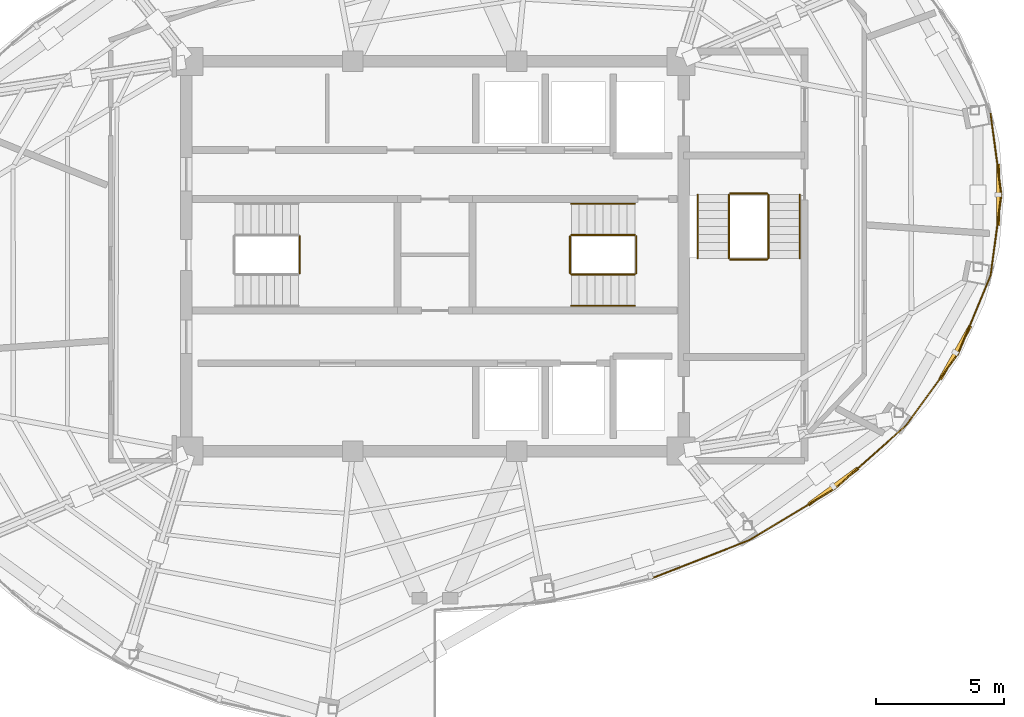
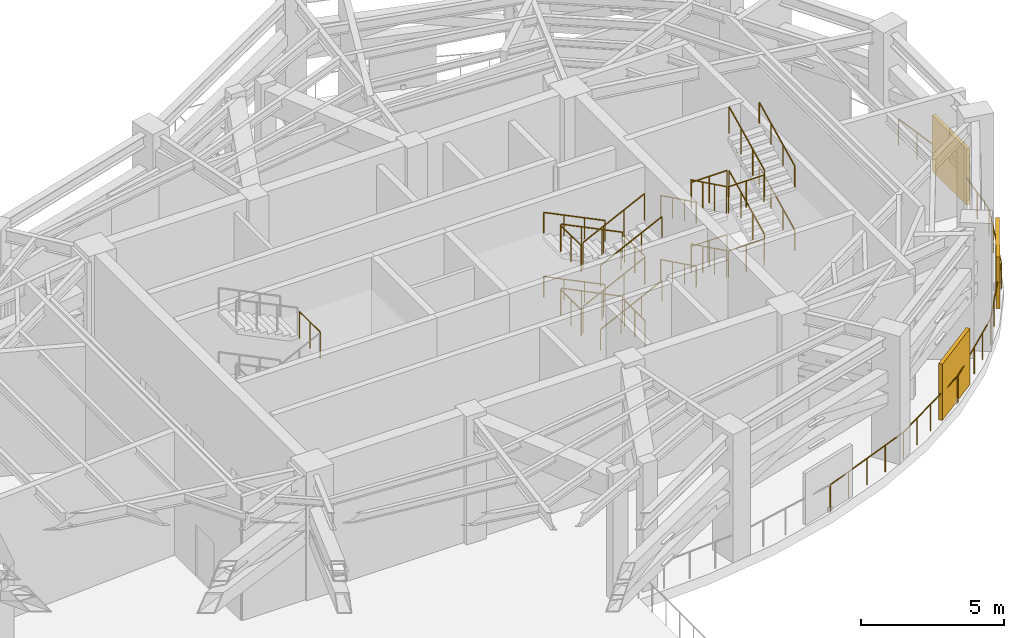
# One storey, part 11 of 12: 32 railings, 3 shading devices.
"""IFC4 building model written with IfcOpenShell, lengths in metres."""

from ifc_helpers import new_model, si_unit, direction, frame, origin, origin_2d, place, context, subcontext, project, spatial, rectangle, circle, extrude, material, type_object, element, save


model = new_model("IFC4")

# Units and contexts
model_context = context("Model", 3, precision=1e-05, world=origin(), true_north=direction((0.0, 1.0)))
body_context = subcontext(model_context, "Body", "Model", "MODEL_VIEW")
ifc_project = project(units=[si_unit("LENGTHUNIT", "METRE"), si_unit("AREAUNIT", "SQUARE_METRE"), si_unit("VOLUMEUNIT", "CUBIC_METRE"), si_unit("PLANEANGLEUNIT", "RADIAN"), si_unit("MASSUNIT", "GRAM", prefix="KILO")], contexts=[model_context])

# Site, building, storey
site_placement = place(None, origin())
site = spatial("IfcSite", under=ifc_project, at=site_placement, CompositionType="ELEMENT")
building_placement = place(site_placement, origin())
building = spatial("IfcBuilding", under=site, at=building_placement, Name="Lazwardi Medical Tower", CompositionType="ELEMENT")
storey_placement = place(building_placement, frame((0.0, 0.0, 245.904052734375)))
storey = spatial("IfcBuildingStorey", under=building, at=storey_placement, Name="L64", CompositionType="ELEMENT", Elevation=245.904052734375)

# Railings
ifc_material_1 = material(Name="Anodised bronze aluminium", Category="aluminium")
railing_type_1 = type_object("IfcRailingType", Name="RLG-BAL-1100", PredefinedType="BALUSTRADE", material=ifc_material_1)
railing_1_placement = place(storey_placement, frame((44.457275390625, 15.43310546875, 0.0)))
element("IfcRailing", 1, at=railing_1_placement, inside=storey, type_object=railing_type_1, Name="L64 Refuge Band Perimeter Balustrade 03", PredefinedType="BALUSTRADE", context=body_context, shape_type="SweptSolid", body=[
    extrude(circle(Radius=0.02392578125, at=origin_2d()), frame((0.0, 0.0, 1.1259765625), z_axis=(0.931079419389, 0.364816549501, 0.0), x_axis=(-0.364816549501, 0.931079419389, 0.0)), (0.0, 0.0, 1.0), 4.103515625),
    extrude(circle(Radius=0.02099609375, at=origin_2d()), origin(), (0.0, 0.0, 1.0), 1.099853515625),
    extrude(circle(Radius=0.02099609375, at=origin_2d()), frame((0.955078125, 0.374267578125, 0.0)), (0.0, 0.0, 1.0), 1.099853515625),
    extrude(circle(Radius=0.02099609375, at=origin_2d()), frame((1.910400390625, 0.74853515625, 0.0)), (0.0, 0.0, 1.0), 1.099853515625),
    extrude(circle(Radius=0.02099609375, at=origin_2d()), frame((2.86572265625, 1.122802734375, 0.0)), (0.0, 0.0, 1.0), 1.099853515625),
    extrude(circle(Radius=0.02099609375, at=origin_2d()), frame((3.82080078125, 1.4970703125, 0.0)), (0.0, 0.0, 1.0), 1.099853515625),
])
railing_2_placement = place(storey_placement, frame((48.278076171875, 16.93017578125, 0.0)))
element("IfcRailing", 2, at=railing_2_placement, inside=storey, type_object=railing_type_1, Name="L64 Refuge Band Perimeter Balustrade 04", PredefinedType="BALUSTRADE", context=body_context, shape_type="SweptSolid", body=[
    extrude(circle(Radius=0.02392578125, at=origin_2d()), frame((0.0, 0.0, 1.1259765625), z_axis=(0.856908132333, 0.515469157896, 0.0), x_axis=(-0.515469157896, 0.856908132333, 0.0)), (0.0, 0.0, 1.0), 3.908447265625),
    extrude(circle(Radius=0.02099609375, at=origin_2d()), origin(), (0.0, 0.0, 1.0), 1.099853515625),
    extrude(circle(Radius=0.02099609375, at=origin_2d()), frame((0.83740234375, 0.503662109375, 0.0)), (0.0, 0.0, 1.0), 1.099853515625),
    extrude(circle(Radius=0.02099609375, at=origin_2d()), frame((1.674560546875, 1.00732421875, 0.0)), (0.0, 0.0, 1.0), 1.099853515625),
    extrude(circle(Radius=0.02099609375, at=origin_2d()), frame((2.51171875, 1.510986328125, 0.0)), (0.0, 0.0, 1.0), 1.099853515625),
    extrude(circle(Radius=0.02099609375, at=origin_2d()), frame((3.34912109375, 2.0146484375, 0.0)), (0.0, 0.0, 1.0), 1.099853515625),
])
railing_3_placement = place(storey_placement, frame((51.627197265625, 18.94482421875, 0.0)))
element("IfcRailing", 3, at=railing_3_placement, inside=storey, type_object=railing_type_1, Name="L64 Refuge Band Perimeter Balustrade 05", PredefinedType="BALUSTRADE", context=body_context, shape_type="SweptSolid", body=[
    extrude(circle(Radius=0.02392578125, at=origin_2d()), frame((0.0, 0.0, 1.1259765625), z_axis=(0.745769545874, 0.666204011131, 0.0), x_axis=(-0.666204011131, 0.745769545874, 0.0)), (0.0, 0.0, 1.0), 3.68505859375),
    extrude(circle(Radius=0.02099609375, at=origin_2d()), origin(), (0.0, 0.0, 1.0), 1.099853515625),
    extrude(circle(Radius=0.02099609375, at=origin_2d()), frame((0.68701171875, 0.61376953125, 0.0)), (0.0, 0.0, 1.0), 1.099853515625),
    extrude(circle(Radius=0.02099609375, at=origin_2d()), frame((1.3740234375, 1.2275390625, 0.0)), (0.0, 0.0, 1.0), 1.099853515625),
    extrude(circle(Radius=0.02099609375, at=origin_2d()), frame((2.061279296875, 1.84130859375, 0.0)), (0.0, 0.0, 1.0), 1.099853515625),
    extrude(circle(Radius=0.02099609375, at=origin_2d()), frame((2.748291015625, 2.455078125, 0.0)), (0.0, 0.0, 1.0), 1.099853515625),
])
railing_4_placement = place(storey_placement, frame((54.37548828125, 21.39990234375, 0.0)))
element("IfcRailing", 4, at=railing_4_placement, inside=storey, type_object=railing_type_1, Name="L64 Refuge Band Perimeter Balustrade 06", PredefinedType="BALUSTRADE", context=body_context, shape_type="SweptSolid", body=[
    extrude(circle(Radius=0.02392578125, at=origin_2d()), frame((0.0, 0.0, 1.1259765625), z_axis=(0.589205688877, 0.807983079152, 0.0), x_axis=(-0.807983079152, 0.589205688877, 0.0)), (0.0, 0.0, 1.0), 3.466064453125),
    extrude(circle(Radius=0.02099609375, at=origin_2d()), origin(), (0.0, 0.0, 1.0), 1.099853515625),
    extrude(circle(Radius=0.02099609375, at=origin_2d()), frame((0.6806640625, 0.93359375, 0.0)), (0.0, 0.0, 1.0), 1.099853515625),
    extrude(circle(Radius=0.02099609375, at=origin_2d()), frame((1.361572265625, 1.866943359375, 0.0)), (0.0, 0.0, 1.0), 1.099853515625),
    extrude(circle(Radius=0.02099609375, at=origin_2d()), frame((2.042236328125, 2.800537109375, 0.0)), (0.0, 0.0, 1.0), 1.099853515625),
])
railing_5_placement = place(storey_placement, frame((56.417724609375, 24.200439453125, 0.0)))
element("IfcRailing", 5, at=railing_5_placement, inside=storey, type_object=railing_type_1, Name="L64 Refuge Band Perimeter Balustrade 07", PredefinedType="BALUSTRADE", context=body_context, shape_type="SweptSolid", body=[
    extrude(circle(Radius=0.02392578125, at=origin_2d()), frame((0.0, 0.0, 1.1259765625), z_axis=(0.382358349065, 0.924014119427, 0.0), x_axis=(-0.924014119427, 0.382358349065, 0.0)), (0.0, 0.0, 1.0), 3.2890625),
    extrude(circle(Radius=0.02099609375, at=origin_2d()), origin(), (0.0, 0.0, 1.0), 1.099853515625),
    extrude(circle(Radius=0.02099609375, at=origin_2d()), frame((0.419189453125, 1.012939453125, 0.0)), (0.0, 0.0, 1.0), 1.099853515625),
    extrude(circle(Radius=0.02099609375, at=origin_2d()), frame((0.83837890625, 2.026123046875, 0.0)), (0.0, 0.0, 1.0), 1.099853515625),
    extrude(circle(Radius=0.02099609375, at=origin_2d()), frame((1.257568359375, 3.0390625, 0.0)), (0.0, 0.0, 1.0), 1.099853515625),
])
railing_6_placement = place(storey_placement, frame((57.67529296875, 27.239501953125, 0.0)))
element("IfcRailing", 6, at=railing_6_placement, inside=storey, type_object=railing_type_1, Name="L64 Refuge Band Perimeter Balustrade 08", PredefinedType="BALUSTRADE", context=body_context, shape_type="SweptSolid", body=[
    extrude(circle(Radius=0.02392578125, at=origin_2d()), frame((0.0, 0.0, 1.1259765625), z_axis=(0.133216782233, 0.991086922995, 0.0), x_axis=(-0.991086922995, 0.133216782233, 0.0)), (0.0, 0.0, 1.0), 3.188720703125),
    extrude(circle(Radius=0.02099609375, at=origin_2d()), origin(), (0.0, 0.0, 1.0), 1.099853515625),
    extrude(circle(Radius=0.02099609375, at=origin_2d()), frame((0.1416015625, 1.053466796875, 0.0)), (0.0, 0.0, 1.0), 1.099853515625),
    extrude(circle(Radius=0.02099609375, at=origin_2d()), frame((0.283203125, 2.10693359375, 0.0)), (0.0, 0.0, 1.0), 1.099853515625),
    extrude(circle(Radius=0.02099609375, at=origin_2d()), frame((0.4248046875, 3.160400390625, 0.0)), (0.0, 0.0, 1.0), 1.099853515625),
])
railing_7_placement = place(storey_placement, frame((58.10009765625, 30.39990234375, 0.0)))
element("IfcRailing", 7, at=railing_7_placement, inside=storey, type_object=railing_type_1, Name="L64 Refuge Band Perimeter Balustrade 09", PredefinedType="BALUSTRADE", context=body_context, shape_type="SweptSolid", body=[
    extrude(circle(Radius=0.02392578125, at=origin_2d()), frame((0.0, 0.0, 1.1259765625), z_axis=(-0.133206674641, 0.991088281553, 0.0), x_axis=(-0.991088281553, -0.133206674641, 0.0)), (0.0, 0.0, 1.0), 3.18896484375),
    extrude(circle(Radius=0.02099609375, at=origin_2d()), origin(), (0.0, 0.0, 1.0), 1.099853515625),
    extrude(circle(Radius=0.02099609375, at=origin_2d()), frame((-0.1416015625, 1.053466796875, 0.0)), (0.0, 0.0, 1.0), 1.099853515625),
    extrude(circle(Radius=0.02099609375, at=origin_2d()), frame((-0.283203125, 2.107177734375, 0.0)), (0.0, 0.0, 1.0), 1.099853515625),
    extrude(circle(Radius=0.02099609375, at=origin_2d()), frame((-0.4248046875, 3.16064453125, 0.0)), (0.0, 0.0, 1.0), 1.099853515625),
])
ifc_material_2 = material(Name="Stainless steel Grade 316", Category="steel")
railing_type_2 = type_object("IfcRailingType", Name="RLG-GRD-1150", PredefinedType="GUARDRAIL", material=ifc_material_2)
railing_8_placement = place(storey_placement, frame((30.72998046875, 27.340087890625, 4.10400390625)))
element("IfcRailing", 8, at=railing_8_placement, inside=storey, type_object=railing_type_2, Name="L64 ST1 stair guard 6", PredefinedType="GUARDRAIL", context=body_context, shape_type="SweptSolid", body=[
    extrude(circle(Radius=0.02392578125, at=origin_2d()), frame((0.0, 0.0, 1.1259765625), z_axis=(0.0, 1.0, 0.0), x_axis=(-1.0, 0.0, 0.0)), (0.0, 0.0, 1.0), 1.43994140625),
    extrude(circle(Radius=0.02099609375, at=origin_2d()), origin(), (0.0, 0.0, 1.0), 1.099853515625),
    extrude(circle(Radius=0.02099609375, at=origin_2d()), frame((0.0, 0.719970703125, 0.0)), (0.0, 0.0, 1.0), 1.099853515625),
    extrude(circle(Radius=0.02099609375, at=origin_2d()), frame((0.0, 1.43994140625, 0.0)), (0.0, 0.0, 1.0), 1.099853515625),
])
railing_9_placement = place(storey_placement, frame((43.800048828125, 28.830078125, 0.15185546875)))
element("IfcRailing", 9, at=railing_9_placement, inside=storey, type_object=railing_type_2, Name="L64 ST2 stair guard 1", PredefinedType="GUARDRAIL", context=body_context, shape_type="SweptSolid", body=[
    extrude(circle(Radius=0.02392578125, at=origin_2d()), frame((0.0, 0.0, 1.1259765625), z_axis=(-0.897865232124, 0.0, 0.440270399804), x_axis=(0.0, -1.0, 0.0)), (0.0, 0.0, 1.0), 2.76220703125),
    extrude(circle(Radius=0.02099609375, at=origin_2d()), origin(), (0.0, 0.0, 1.0), 1.099853515625),
    extrude(circle(Radius=0.02099609375, at=origin_2d()), frame((-0.82666015625, 0.0, 0.4052734375)), (0.0, 0.0, 1.0), 1.099853515625),
    extrude(circle(Radius=0.02099609375, at=origin_2d()), frame((-1.6533203125, 0.0, 0.810791015625)), (0.0, 0.0, 1.0), 1.099853515625),
    extrude(circle(Radius=0.02099609375, at=origin_2d()), frame((-2.47998046875, 0.0, 1.216064453125)), (0.0, 0.0, 1.0), 1.099853515625),
])
railing_10_placement = place(storey_placement, frame((41.27001953125, 28.780029296875, 1.367919921875)))
element("IfcRailing", 10, at=railing_10_placement, inside=storey, type_object=railing_type_2, Name="L64 ST2 stair guard 2", PredefinedType="GUARDRAIL", context=body_context, shape_type="SweptSolid", body=[
    extrude(circle(Radius=0.02392578125, at=origin_2d()), frame((0.0, 0.0, 1.1259765625), z_axis=(0.0, -1.0, 0.0), x_axis=(1.0, 0.0, 0.0)), (0.0, 0.0, 1.0), 1.43994140625),
    extrude(circle(Radius=0.02099609375, at=origin_2d()), origin(), (0.0, 0.0, 1.0), 1.099853515625),
    extrude(circle(Radius=0.02099609375, at=origin_2d()), frame((0.0, -0.719970703125, 0.0)), (0.0, 0.0, 1.0), 1.099853515625),
    extrude(circle(Radius=0.02099609375, at=origin_2d()), frame((0.0, -1.43994140625, 0.0)), (0.0, 0.0, 1.0), 1.099853515625),
])
railing_11_placement = place(storey_placement, frame((41.320068359375, 27.2900390625, 1.52001953125)))
element("IfcRailing", 11, at=railing_11_placement, inside=storey, type_object=railing_type_2, Name="L64 ST2 stair guard 3", PredefinedType="GUARDRAIL", context=body_context, shape_type="SweptSolid", body=[
    extrude(circle(Radius=0.02392578125, at=origin_2d()), frame((0.0, 0.0, 1.1259765625), z_axis=(0.897900171516, 0.0, 0.440199139018), x_axis=(0.0, 1.0, 0.0)), (0.0, 0.0, 1.0), 2.761962890625),
    extrude(circle(Radius=0.02099609375, at=origin_2d()), origin(), (0.0, 0.0, 1.0), 1.099853515625),
    extrude(circle(Radius=0.02099609375, at=origin_2d()), frame((0.82666015625, 0.0, 0.4052734375)), (0.0, 0.0, 1.0), 1.099853515625),
    extrude(circle(Radius=0.02099609375, at=origin_2d()), frame((1.6533203125, 0.0, 0.810546875)), (0.0, 0.0, 1.0), 1.099853515625),
    extrude(circle(Radius=0.02099609375, at=origin_2d()), frame((2.47998046875, 0.0, 1.2158203125)), (0.0, 0.0, 1.0), 1.099853515625),
])
railing_12_placement = place(storey_placement, frame((43.85009765625, 28.780029296875, 2.73583984375)))
element("IfcRailing", 12, at=railing_12_placement, inside=storey, type_object=railing_type_2, Name="L64 ST2 stair guard 4", PredefinedType="GUARDRAIL", context=body_context, shape_type="SweptSolid", body=[
    extrude(circle(Radius=0.02392578125, at=origin_2d()), frame((0.0, 0.0, 1.1259765625), z_axis=(0.0, -1.0, 0.0), x_axis=(1.0, 0.0, 0.0)), (0.0, 0.0, 1.0), 1.43994140625),
    extrude(circle(Radius=0.02099609375, at=origin_2d()), origin(), (0.0, 0.0, 1.0), 1.099853515625),
    extrude(circle(Radius=0.02099609375, at=origin_2d()), frame((0.0, -0.719970703125, 0.0)), (0.0, 0.0, 1.0), 1.099853515625),
    extrude(circle(Radius=0.02099609375, at=origin_2d()), frame((0.0, -1.43994140625, 0.0)), (0.0, 0.0, 1.0), 1.099853515625),
])
railing_13_placement = place(storey_placement, frame((43.800048828125, 28.830078125, 2.887939453125)))
element("IfcRailing", 13, at=railing_13_placement, inside=storey, type_object=railing_type_2, Name="L64 ST2 stair guard 5", PredefinedType="GUARDRAIL", context=body_context, shape_type="SweptSolid", body=[
    extrude(circle(Radius=0.02392578125, at=origin_2d()), frame((0.0, 0.0, 1.1259765625), z_axis=(-0.897865232124, 0.0, 0.440270399804), x_axis=(0.0, -1.0, 0.0)), (0.0, 0.0, 1.0), 2.76220703125),
    extrude(circle(Radius=0.02099609375, at=origin_2d()), origin(), (0.0, 0.0, 1.0), 1.099853515625),
    extrude(circle(Radius=0.02099609375, at=origin_2d()), frame((-0.82666015625, 0.0, 0.4052734375)), (0.0, 0.0, 1.0), 1.099853515625),
    extrude(circle(Radius=0.02099609375, at=origin_2d()), frame((-1.6533203125, 0.0, 0.810791015625)), (0.0, 0.0, 1.0), 1.099853515625),
    extrude(circle(Radius=0.02099609375, at=origin_2d()), frame((-2.47998046875, 0.0, 1.216064453125)), (0.0, 0.0, 1.0), 1.099853515625),
])
railing_14_placement = place(storey_placement, frame((41.27001953125, 28.780029296875, 4.10400390625)))
element("IfcRailing", 14, at=railing_14_placement, inside=storey, type_object=railing_type_2, Name="L64 ST2 stair guard 6", PredefinedType="GUARDRAIL", context=body_context, shape_type="SweptSolid", body=[
    extrude(circle(Radius=0.02392578125, at=origin_2d()), frame((0.0, 0.0, 1.1259765625), z_axis=(0.0, -1.0, 0.0), x_axis=(1.0, 0.0, 0.0)), (0.0, 0.0, 1.0), 1.43994140625),
    extrude(circle(Radius=0.02099609375, at=origin_2d()), origin(), (0.0, 0.0, 1.0), 1.099853515625),
    extrude(circle(Radius=0.02099609375, at=origin_2d()), frame((0.0, -0.719970703125, 0.0)), (0.0, 0.0, 1.0), 1.099853515625),
    extrude(circle(Radius=0.02099609375, at=origin_2d()), frame((0.0, -1.43994140625, 0.0)), (0.0, 0.0, 1.0), 1.099853515625),
])
railing_15_placement = place(storey_placement, frame((41.320068359375, 27.2900390625, 4.255859375)))
element("IfcRailing", 15, at=railing_15_placement, inside=storey, type_object=railing_type_2, Name="L64 ST2 stair guard 7", PredefinedType="GUARDRAIL", context=body_context, shape_type="SweptSolid", body=[
    extrude(circle(Radius=0.02392578125, at=origin_2d()), frame((0.0, 0.0, 1.1259765625), z_axis=(0.897865232124, 0.0, 0.440270399804), x_axis=(0.0, 1.0, 0.0)), (0.0, 0.0, 1.0), 2.76220703125),
    extrude(circle(Radius=0.02099609375, at=origin_2d()), origin(), (0.0, 0.0, 1.0), 1.099853515625),
    extrude(circle(Radius=0.02099609375, at=origin_2d()), frame((0.82666015625, 0.0, 0.4052734375)), (0.0, 0.0, 1.0), 1.099853515625),
    extrude(circle(Radius=0.02099609375, at=origin_2d()), frame((1.6533203125, 0.0, 0.810791015625)), (0.0, 0.0, 1.0), 1.099853515625),
    extrude(circle(Radius=0.02099609375, at=origin_2d()), frame((2.47998046875, 0.0, 1.216064453125)), (0.0, 0.0, 1.0), 1.099853515625),
])
railing_16_placement = place(storey_placement, frame((43.85009765625, 28.780029296875, 0.0)))
element("IfcRailing", 16, at=railing_16_placement, inside=storey, type_object=railing_type_2, Name="L64 ST2 stair guard 8", PredefinedType="GUARDRAIL", context=body_context, shape_type="SweptSolid", body=[
    extrude(circle(Radius=0.02392578125, at=origin_2d()), frame((0.0, 0.0, 1.1259765625), z_axis=(0.0, -1.0, 0.0), x_axis=(1.0, 0.0, 0.0)), (0.0, 0.0, 1.0), 1.43994140625),
    extrude(circle(Radius=0.02099609375, at=origin_2d()), origin(), (0.0, 0.0, 1.0), 1.099853515625),
    extrude(circle(Radius=0.02099609375, at=origin_2d()), frame((0.0, -0.719970703125, 0.0)), (0.0, 0.0, 1.0), 1.099853515625),
    extrude(circle(Radius=0.02099609375, at=origin_2d()), frame((0.0, -1.43994140625, 0.0)), (0.0, 0.0, 1.0), 1.099853515625),
])
railing_17_placement = place(storey_placement, frame((47.469970703125, 30.39990234375, 0.15185546875)))
element("IfcRailing", 17, at=railing_17_placement, inside=storey, type_object=railing_type_2, Name="L64 ST3 stair guard 1", PredefinedType="GUARDRAIL", context=body_context, shape_type="SweptSolid", body=[
    extrude(circle(Radius=0.02392578125, at=origin_2d()), frame((0.0, 0.0, 1.1259765625), z_axis=(0.0, -0.897865232124, 0.440270399804), x_axis=(1.0, 0.0, 0.0)), (0.0, 0.0, 1.0), 2.76220703125),
    extrude(circle(Radius=0.02099609375, at=origin_2d()), origin(), (0.0, 0.0, 1.0), 1.099853515625),
    extrude(circle(Radius=0.02099609375, at=origin_2d()), frame((0.0, -0.82666015625, 0.4052734375)), (0.0, 0.0, 1.0), 1.099853515625),
    extrude(circle(Radius=0.02099609375, at=origin_2d()), frame((0.0, -1.6533203125, 0.810791015625)), (0.0, 0.0, 1.0), 1.099853515625),
    extrude(circle(Radius=0.02099609375, at=origin_2d()), frame((0.0, -2.47998046875, 1.216064453125)), (0.0, 0.0, 1.0), 1.099853515625),
])
railing_18_placement = place(storey_placement, frame((47.52001953125, 27.8701171875, 1.367919921875)))
element("IfcRailing", 18, at=railing_18_placement, inside=storey, type_object=railing_type_2, Name="L64 ST3 stair guard 2", PredefinedType="GUARDRAIL", context=body_context, shape_type="SweptSolid", body=[
    extrude(circle(Radius=0.02392578125, at=origin_2d()), frame((0.0, 0.0, 1.1259765625), z_axis=(1.0, 0.0, 0.0), x_axis=(0.0, 1.0, 0.0)), (0.0, 0.0, 1.0), 1.43994140625),
    extrude(circle(Radius=0.02099609375, at=origin_2d()), origin(), (0.0, 0.0, 1.0), 1.099853515625),
    extrude(circle(Radius=0.02099609375, at=origin_2d()), frame((0.719970703125, 0.0, 0.0)), (0.0, 0.0, 1.0), 1.099853515625),
    extrude(circle(Radius=0.02099609375, at=origin_2d()), frame((1.43994140625, 0.0, 0.0)), (0.0, 0.0, 1.0), 1.099853515625),
])
railing_19_placement = place(storey_placement, frame((49.010009765625, 27.919921875, 1.52001953125)))
element("IfcRailing", 19, at=railing_19_placement, inside=storey, type_object=railing_type_2, Name="L64 ST3 stair guard 3", PredefinedType="GUARDRAIL", context=body_context, shape_type="SweptSolid", body=[
    extrude(circle(Radius=0.02392578125, at=origin_2d()), frame((0.0, 0.0, 1.1259765625), z_axis=(0.0, 0.897900171516, 0.440199139018), x_axis=(-1.0, 0.0, 0.0)), (0.0, 0.0, 1.0), 2.761962890625),
    extrude(circle(Radius=0.02099609375, at=origin_2d()), origin(), (0.0, 0.0, 1.0), 1.099853515625),
    extrude(circle(Radius=0.02099609375, at=origin_2d()), frame((0.0, 0.82666015625, 0.4052734375)), (0.0, 0.0, 1.0), 1.099853515625),
    extrude(circle(Radius=0.02099609375, at=origin_2d()), frame((0.0, 1.6533203125, 0.810546875)), (0.0, 0.0, 1.0), 1.099853515625),
    extrude(circle(Radius=0.02099609375, at=origin_2d()), frame((0.0, 2.47998046875, 1.2158203125)), (0.0, 0.0, 1.0), 1.099853515625),
])
railing_20_placement = place(storey_placement, frame((47.52001953125, 30.449951171875, 2.73583984375)))
element("IfcRailing", 20, at=railing_20_placement, inside=storey, type_object=railing_type_2, Name="L64 ST3 stair guard 4", PredefinedType="GUARDRAIL", context=body_context, shape_type="SweptSolid", body=[
    extrude(circle(Radius=0.02392578125, at=origin_2d()), frame((0.0, 0.0, 1.1259765625), z_axis=(1.0, 0.0, 0.0), x_axis=(0.0, 1.0, 0.0)), (0.0, 0.0, 1.0), 1.43994140625),
    extrude(circle(Radius=0.02099609375, at=origin_2d()), origin(), (0.0, 0.0, 1.0), 1.099853515625),
    extrude(circle(Radius=0.02099609375, at=origin_2d()), frame((0.719970703125, 0.0, 0.0)), (0.0, 0.0, 1.0), 1.099853515625),
    extrude(circle(Radius=0.02099609375, at=origin_2d()), frame((1.43994140625, 0.0, 0.0)), (0.0, 0.0, 1.0), 1.099853515625),
])
railing_21_placement = place(storey_placement, frame((47.469970703125, 30.39990234375, 2.887939453125)))
element("IfcRailing", 21, at=railing_21_placement, inside=storey, type_object=railing_type_2, Name="L64 ST3 stair guard 5", PredefinedType="GUARDRAIL", context=body_context, shape_type="SweptSolid", body=[
    extrude(circle(Radius=0.02392578125, at=origin_2d()), frame((0.0, 0.0, 1.1259765625), z_axis=(0.0, -0.897865232124, 0.440270399804), x_axis=(1.0, 0.0, 0.0)), (0.0, 0.0, 1.0), 2.76220703125),
    extrude(circle(Radius=0.02099609375, at=origin_2d()), origin(), (0.0, 0.0, 1.0), 1.099853515625),
    extrude(circle(Radius=0.02099609375, at=origin_2d()), frame((0.0, -0.82666015625, 0.4052734375)), (0.0, 0.0, 1.0), 1.099853515625),
    extrude(circle(Radius=0.02099609375, at=origin_2d()), frame((0.0, -1.6533203125, 0.810791015625)), (0.0, 0.0, 1.0), 1.099853515625),
    extrude(circle(Radius=0.02099609375, at=origin_2d()), frame((0.0, -2.47998046875, 1.216064453125)), (0.0, 0.0, 1.0), 1.099853515625),
])
railing_22_placement = place(storey_placement, frame((47.52001953125, 27.8701171875, 4.10400390625)))
element("IfcRailing", 22, at=railing_22_placement, inside=storey, type_object=railing_type_2, Name="L64 ST3 stair guard 6", PredefinedType="GUARDRAIL", context=body_context, shape_type="SweptSolid", body=[
    extrude(circle(Radius=0.02392578125, at=origin_2d()), frame((0.0, 0.0, 1.1259765625), z_axis=(1.0, 0.0, 0.0), x_axis=(0.0, 1.0, 0.0)), (0.0, 0.0, 1.0), 1.43994140625),
    extrude(circle(Radius=0.02099609375, at=origin_2d()), origin(), (0.0, 0.0, 1.0), 1.099853515625),
    extrude(circle(Radius=0.02099609375, at=origin_2d()), frame((0.719970703125, 0.0, 0.0)), (0.0, 0.0, 1.0), 1.099853515625),
    extrude(circle(Radius=0.02099609375, at=origin_2d()), frame((1.43994140625, 0.0, 0.0)), (0.0, 0.0, 1.0), 1.099853515625),
])
railing_23_placement = place(storey_placement, frame((49.010009765625, 27.919921875, 4.255859375)))
element("IfcRailing", 23, at=railing_23_placement, inside=storey, type_object=railing_type_2, Name="L64 ST3 stair guard 7", PredefinedType="GUARDRAIL", context=body_context, shape_type="SweptSolid", body=[
    extrude(circle(Radius=0.02392578125, at=origin_2d()), frame((0.0, 0.0, 1.1259765625), z_axis=(0.0, 0.897865232124, 0.440270399804), x_axis=(-1.0, 0.0, 0.0)), (0.0, 0.0, 1.0), 2.76220703125),
    extrude(circle(Radius=0.02099609375, at=origin_2d()), origin(), (0.0, 0.0, 1.0), 1.099853515625),
    extrude(circle(Radius=0.02099609375, at=origin_2d()), frame((0.0, 0.82666015625, 0.4052734375)), (0.0, 0.0, 1.0), 1.099853515625),
    extrude(circle(Radius=0.02099609375, at=origin_2d()), frame((0.0, 1.6533203125, 0.810791015625)), (0.0, 0.0, 1.0), 1.099853515625),
    extrude(circle(Radius=0.02099609375, at=origin_2d()), frame((0.0, 2.47998046875, 1.216064453125)), (0.0, 0.0, 1.0), 1.099853515625),
])
railing_24_placement = place(storey_placement, frame((47.52001953125, 30.449951171875, 0.0)))
element("IfcRailing", 24, at=railing_24_placement, inside=storey, type_object=railing_type_2, Name="L64 ST3 stair guard 8", PredefinedType="GUARDRAIL", context=body_context, shape_type="SweptSolid", body=[
    extrude(circle(Radius=0.02392578125, at=origin_2d()), frame((0.0, 0.0, 1.1259765625), z_axis=(1.0, 0.0, 0.0), x_axis=(0.0, 1.0, 0.0)), (0.0, 0.0, 1.0), 1.43994140625),
    extrude(circle(Radius=0.02099609375, at=origin_2d()), origin(), (0.0, 0.0, 1.0), 1.099853515625),
    extrude(circle(Radius=0.02099609375, at=origin_2d()), frame((0.719970703125, 0.0, 0.0)), (0.0, 0.0, 1.0), 1.099853515625),
    extrude(circle(Radius=0.02099609375, at=origin_2d()), frame((1.43994140625, 0.0, 0.0)), (0.0, 0.0, 1.0), 1.099853515625),
])
railing_type_3 = type_object("IfcRailingType", Name="RLG-HND-920", PredefinedType="HANDRAIL", material=ifc_material_2)
railing_25_placement = place(storey_placement, frame((43.800048828125, 30.050048828125, 0.15185546875)))
element("IfcRailing", 25, at=railing_25_placement, inside=storey, type_object=railing_type_3, Name="L64 ST2 stair handrail 1", PredefinedType="HANDRAIL", context=body_context, shape_type="SweptSolid", body=[
    extrude(circle(Radius=0.02392578125, at=origin_2d()), frame((0.0, 0.0, 0.8857421875), z_axis=(-0.897865232124, 0.0, 0.440270399804), x_axis=(0.0, -1.0, 0.0)), (0.0, 0.0, 1.0), 2.76220703125),
    extrude(circle(Radius=0.02099609375, at=origin_2d()), origin(), (0.0, 0.0, 1.0), 0.85986328125),
    extrude(circle(Radius=0.02099609375, at=origin_2d()), frame((-0.82666015625, 0.0, 0.4052734375)), (0.0, 0.0, 1.0), 0.85986328125),
    extrude(circle(Radius=0.02099609375, at=origin_2d()), frame((-1.6533203125, 0.0, 0.810791015625)), (0.0, 0.0, 1.0), 0.85986328125),
    extrude(circle(Radius=0.02099609375, at=origin_2d()), frame((-2.47998046875, 0.0, 1.216064453125)), (0.0, 0.0, 1.0), 0.85986328125),
])
railing_26_placement = place(storey_placement, frame((41.320068359375, 26.070068359375, 1.52001953125)))
element("IfcRailing", 26, at=railing_26_placement, inside=storey, type_object=railing_type_3, Name="L64 ST2 stair handrail 2", PredefinedType="HANDRAIL", context=body_context, shape_type="SweptSolid", body=[
    extrude(circle(Radius=0.02392578125, at=origin_2d()), frame((0.0, 0.0, 0.8857421875), z_axis=(0.897900171516, 0.0, 0.440199139018), x_axis=(0.0, 1.0, 0.0)), (0.0, 0.0, 1.0), 2.761962890625),
    extrude(circle(Radius=0.02099609375, at=origin_2d()), origin(), (0.0, 0.0, 1.0), 0.85986328125),
    extrude(circle(Radius=0.02099609375, at=origin_2d()), frame((0.82666015625, 0.0, 0.4052734375)), (0.0, 0.0, 1.0), 0.85986328125),
    extrude(circle(Radius=0.02099609375, at=origin_2d()), frame((1.6533203125, 0.0, 0.810546875)), (0.0, 0.0, 1.0), 0.85986328125),
    extrude(circle(Radius=0.02099609375, at=origin_2d()), frame((2.47998046875, 0.0, 1.2158203125)), (0.0, 0.0, 1.0), 0.85986328125),
])
railing_27_placement = place(storey_placement, frame((43.800048828125, 30.050048828125, 2.887939453125)))
element("IfcRailing", 27, at=railing_27_placement, inside=storey, type_object=railing_type_3, Name="L64 ST2 stair handrail 3", PredefinedType="HANDRAIL", context=body_context, shape_type="SweptSolid", body=[
    extrude(circle(Radius=0.02392578125, at=origin_2d()), frame((0.0, 0.0, 0.8857421875), z_axis=(-0.897865232124, 0.0, 0.440270399804), x_axis=(0.0, -1.0, 0.0)), (0.0, 0.0, 1.0), 2.76220703125),
    extrude(circle(Radius=0.02099609375, at=origin_2d()), origin(), (0.0, 0.0, 1.0), 0.85986328125),
    extrude(circle(Radius=0.02099609375, at=origin_2d()), frame((-0.82666015625, 0.0, 0.4052734375)), (0.0, 0.0, 1.0), 0.85986328125),
    extrude(circle(Radius=0.02099609375, at=origin_2d()), frame((-1.6533203125, 0.0, 0.810791015625)), (0.0, 0.0, 1.0), 0.85986328125),
    extrude(circle(Radius=0.02099609375, at=origin_2d()), frame((-2.47998046875, 0.0, 1.216064453125)), (0.0, 0.0, 1.0), 0.85986328125),
])
railing_28_placement = place(storey_placement, frame((41.320068359375, 26.070068359375, 4.255859375)))
element("IfcRailing", 28, at=railing_28_placement, inside=storey, type_object=railing_type_3, Name="L64 ST2 stair handrail 4", PredefinedType="HANDRAIL", context=body_context, shape_type="SweptSolid", body=[
    extrude(circle(Radius=0.02392578125, at=origin_2d()), frame((0.0, 0.0, 0.8857421875), z_axis=(0.897865232124, 0.0, 0.440270399804), x_axis=(0.0, 1.0, 0.0)), (0.0, 0.0, 1.0), 2.76220703125),
    extrude(circle(Radius=0.02099609375, at=origin_2d()), origin(), (0.0, 0.0, 1.0), 0.85986328125),
    extrude(circle(Radius=0.02099609375, at=origin_2d()), frame((0.82666015625, 0.0, 0.4052734375)), (0.0, 0.0, 1.0), 0.85986328125),
    extrude(circle(Radius=0.02099609375, at=origin_2d()), frame((1.6533203125, 0.0, 0.810791015625)), (0.0, 0.0, 1.0), 0.85986328125),
    extrude(circle(Radius=0.02099609375, at=origin_2d()), frame((2.47998046875, 0.0, 1.216064453125)), (0.0, 0.0, 1.0), 0.85986328125),
])
railing_29_placement = place(storey_placement, frame((46.25, 30.39990234375, 0.15185546875)))
element("IfcRailing", 29, at=railing_29_placement, inside=storey, type_object=railing_type_3, Name="L64 ST3 stair handrail 1", PredefinedType="HANDRAIL", context=body_context, shape_type="SweptSolid", body=[
    extrude(circle(Radius=0.02392578125, at=origin_2d()), frame((0.0, 0.0, 0.8857421875), z_axis=(0.0, -0.897865232124, 0.440270399804), x_axis=(1.0, 0.0, 0.0)), (0.0, 0.0, 1.0), 2.76220703125),
    extrude(circle(Radius=0.02099609375, at=origin_2d()), origin(), (0.0, 0.0, 1.0), 0.85986328125),
    extrude(circle(Radius=0.02099609375, at=origin_2d()), frame((0.0, -0.82666015625, 0.4052734375)), (0.0, 0.0, 1.0), 0.85986328125),
    extrude(circle(Radius=0.02099609375, at=origin_2d()), frame((0.0, -1.6533203125, 0.810791015625)), (0.0, 0.0, 1.0), 0.85986328125),
    extrude(circle(Radius=0.02099609375, at=origin_2d()), frame((0.0, -2.47998046875, 1.216064453125)), (0.0, 0.0, 1.0), 0.85986328125),
])
railing_30_placement = place(storey_placement, frame((50.22998046875, 27.919921875, 1.52001953125)))
element("IfcRailing", 30, at=railing_30_placement, inside=storey, type_object=railing_type_3, Name="L64 ST3 stair handrail 2", PredefinedType="HANDRAIL", context=body_context, shape_type="SweptSolid", body=[
    extrude(circle(Radius=0.02392578125, at=origin_2d()), frame((0.0, 0.0, 0.8857421875), z_axis=(0.0, 0.897900171516, 0.440199139018), x_axis=(-1.0, 0.0, 0.0)), (0.0, 0.0, 1.0), 2.761962890625),
    extrude(circle(Radius=0.02099609375, at=origin_2d()), origin(), (0.0, 0.0, 1.0), 0.85986328125),
    extrude(circle(Radius=0.02099609375, at=origin_2d()), frame((0.0, 0.82666015625, 0.4052734375)), (0.0, 0.0, 1.0), 0.85986328125),
    extrude(circle(Radius=0.02099609375, at=origin_2d()), frame((0.0, 1.6533203125, 0.810546875)), (0.0, 0.0, 1.0), 0.85986328125),
    extrude(circle(Radius=0.02099609375, at=origin_2d()), frame((0.0, 2.47998046875, 1.2158203125)), (0.0, 0.0, 1.0), 0.85986328125),
])
railing_31_placement = place(storey_placement, frame((46.25, 30.39990234375, 2.887939453125)))
element("IfcRailing", 31, at=railing_31_placement, inside=storey, type_object=railing_type_3, Name="L64 ST3 stair handrail 3", PredefinedType="HANDRAIL", context=body_context, shape_type="SweptSolid", body=[
    extrude(circle(Radius=0.02392578125, at=origin_2d()), frame((0.0, 0.0, 0.8857421875), z_axis=(0.0, -0.897865232124, 0.440270399804), x_axis=(1.0, 0.0, 0.0)), (0.0, 0.0, 1.0), 2.76220703125),
    extrude(circle(Radius=0.02099609375, at=origin_2d()), origin(), (0.0, 0.0, 1.0), 0.85986328125),
    extrude(circle(Radius=0.02099609375, at=origin_2d()), frame((0.0, -0.82666015625, 0.4052734375)), (0.0, 0.0, 1.0), 0.85986328125),
    extrude(circle(Radius=0.02099609375, at=origin_2d()), frame((0.0, -1.6533203125, 0.810791015625)), (0.0, 0.0, 1.0), 0.85986328125),
    extrude(circle(Radius=0.02099609375, at=origin_2d()), frame((0.0, -2.47998046875, 1.216064453125)), (0.0, 0.0, 1.0), 0.85986328125),
])
railing_32_placement = place(storey_placement, frame((50.22998046875, 27.919921875, 4.255859375)))
element("IfcRailing", 32, at=railing_32_placement, inside=storey, type_object=railing_type_3, Name="L64 ST3 stair handrail 4", PredefinedType="HANDRAIL", context=body_context, shape_type="SweptSolid", body=[
    extrude(circle(Radius=0.02392578125, at=origin_2d()), frame((0.0, 0.0, 0.8857421875), z_axis=(0.0, 0.897865232124, 0.440270399804), x_axis=(-1.0, 0.0, 0.0)), (0.0, 0.0, 1.0), 2.76220703125),
    extrude(circle(Radius=0.02099609375, at=origin_2d()), origin(), (0.0, 0.0, 1.0), 0.85986328125),
    extrude(circle(Radius=0.02099609375, at=origin_2d()), frame((0.0, 0.82666015625, 0.4052734375)), (0.0, 0.0, 1.0), 0.85986328125),
    extrude(circle(Radius=0.02099609375, at=origin_2d()), frame((0.0, 1.6533203125, 0.810791015625)), (0.0, 0.0, 1.0), 0.85986328125),
    extrude(circle(Radius=0.02099609375, at=origin_2d()), frame((0.0, 2.47998046875, 1.216064453125)), (0.0, 0.0, 1.0), 0.85986328125),
])

# Shading devices
ifc_material_3 = material(Name="Anodised bronze aluminium storm louvre", Category="aluminium")
shading_device_type_1 = type_object("IfcShadingDeviceType", Name="SHD-LVR-01", PredefinedType="JALOUSIE", material=ifc_material_3)
shading_device_placement = place(storey_placement, frame((56.299560546875, 24.24267578125, 0.0), z_axis=(0.0, 0.0, 1.0), x_axis=(0.492324818213, 0.87041155402, 0.0)))
element("IfcShadingDevice", 33, at=shading_device_placement, inside=storey, type_object=shading_device_type_1, Name="L64 Tropical Storm Louvre 03", PredefinedType="JALOUSIE", context=body_context, shape_type="SweptSolid", body=[
    extrude(rectangle(XDim=2.39990234375, YDim=0.139892578125, at=origin_2d()), origin(), (0.0, 0.0, 1.0), 2.199951171875),
])
ifc_material_4 = material(Name="Perforated bronze girih solar screen", Category="aluminium")
shading_device_type_2 = type_object("IfcShadingDeviceType", Name="SHD-SCR-01", PredefinedType="USERDEFINED", material=ifc_material_4)
for number, where, z_axis, x_axis, name in (
    (34, (51.53662109375, 19.0224609375, 0.0), (0.0, 0.0, 1.0), (0.806793290072, 0.590833806662, 0.0), "L64 Bronze Girih Solar Screen 02"),
    (35, (57.97216796875, 30.39990234375, 0.0), (0.0, 0.0, 1.0), (0.0, 1.0, 0.0), "L64 Bronze Girih Solar Screen 04"),
):
    element("IfcShadingDevice", number, at=place(storey_placement, frame(where, z_axis=z_axis, x_axis=x_axis)), inside=storey, type_object=shading_device_type_2, Name=name, ObjectType="SCREEN", PredefinedType="USERDEFINED", context=body_context, shape_type="SweptSolid", body=[
        extrude(rectangle(XDim=2.39990234375, YDim=0.139892578125, at=origin_2d()), origin(), (0.0, 0.0, 1.0), 2.39990234375),
    ])

save(model, "model.ifc")
